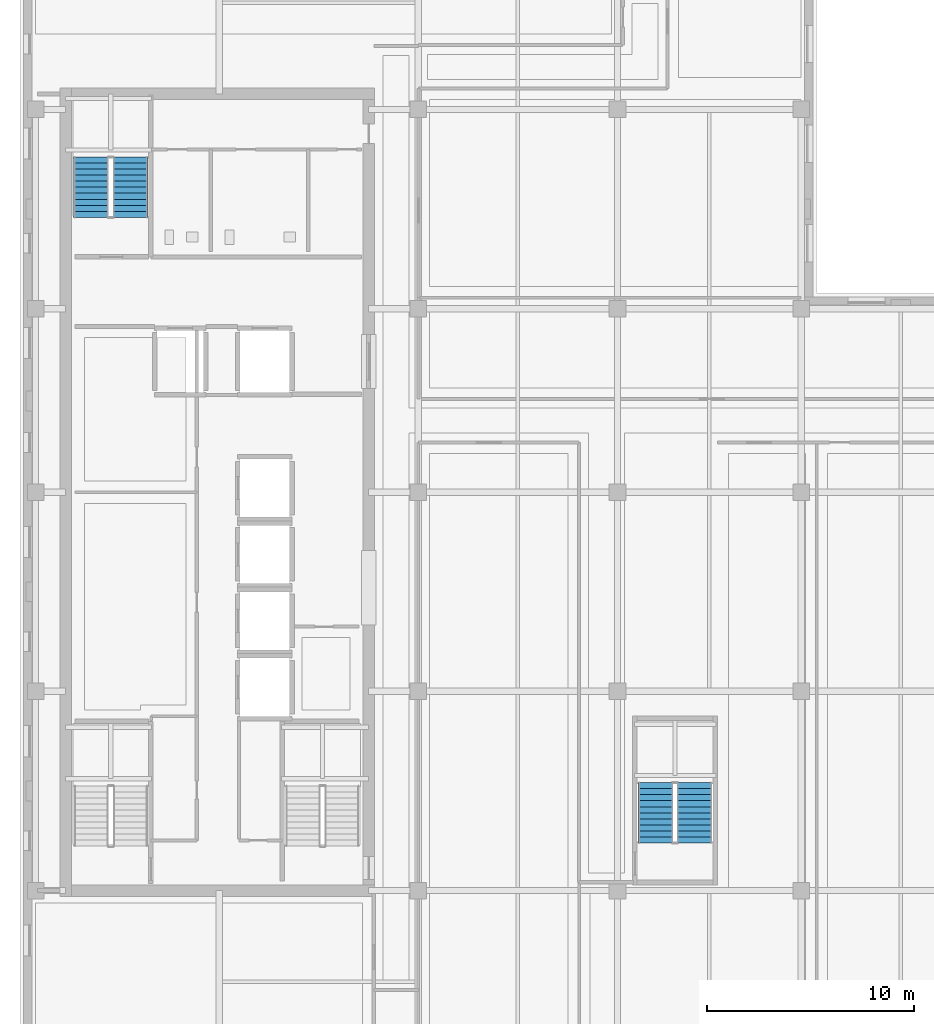
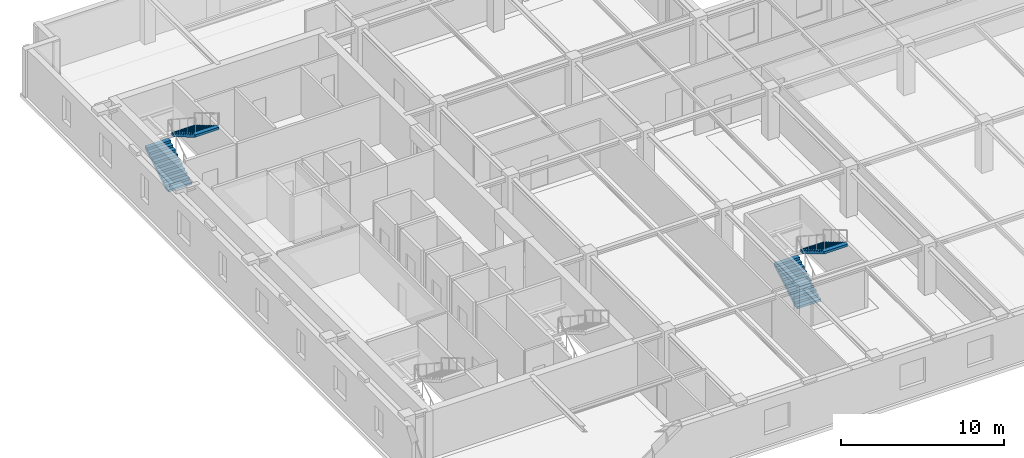
# One storey, part 7 of 12: 4 stair flights, 2 elements without a shape of their own.
"""IFC4 building model written with IfcOpenShell, lengths in metres."""

import ifcopenshell
import ifcopenshell.guid

model = None  # the IFC model being written
_history = None  # IfcOwnerHistory: only IFC2X3 demands one
_inside = {}  # id of a spatial element -> (the spatial element, [elements in it])
_under = {}  # id of a project, library or spatial element -> (it, [spatial elements below it])
_declared = {}  # id of a project -> (the project, [libraries it declares])
_typed = {}  # id of a type object -> (the type object, [elements of that type])
_made_of = {}  # id of a material, layer set ... -> (it, [elements and type objects made of it])


def new_model(schema):
    """Start an empty IFC model of exactly this schema.

    Asked for "IFC4X3", IfcOpenShell would pick the latest addendum, in which some entities
    have other attributes; the version numbers below select the first issue.
    IFC2X3 requires an IfcOwnerHistory on every rooted entity: one is made here for all.
    """
    global model, _history
    if schema == "IFC4X3":
        model = ifcopenshell.file(schema_version=(4, 3, 0, 0))
    else:
        model = ifcopenshell.file(schema=schema)
    _inside.clear()
    _under.clear()
    _declared.clear()
    _typed.clear()
    _made_of.clear()
    _history = None
    if model.schema == "IFC2X3":
        org = make("IfcOrganization", Name="unknown")
        user = make(
            "IfcPersonAndOrganization",
            ThePerson=make("IfcPerson", FamilyName="unknown"),
            TheOrganization=org,
        )
        app = make(
            "IfcApplication",
            ApplicationDeveloper=org,
            Version="unknown",
            ApplicationFullName="unknown",
            ApplicationIdentifier="unknown",
        )
        _history = make(
            "IfcOwnerHistory",
            OwningUser=user,
            OwningApplication=app,
            ChangeAction="ADDED",
            CreationDate=0,
        )
    return model


def make(cls, **values):
    """One entity of the class cls with the attributes given. An attribute that is None is left unset."""
    return model.create_entity(
        cls, **{name: value for name, value in values.items() if value is not None}
    )


def rooted(cls, **values):
    """An entity with a GlobalId (a new one), such as an element, a storey or a relation."""
    return make(cls, GlobalId=ifcopenshell.guid.new(), OwnerHistory=_history, **values)


def si_unit(unit_type, name, prefix=None):
    """IfcSIUnit, for example si_unit("LENGTHUNIT", "METRE", prefix="MILLI")."""
    return make("IfcSIUnit", UnitType=unit_type, Prefix=prefix, Name=name)


def assignment(units):
    """IfcUnitAssignment: the units of a project."""
    return None if units is None else make("IfcUnitAssignment", Units=units)


def point(xyz):
    """IfcCartesianPoint."""
    return None if xyz is None else make("IfcCartesianPoint", Coordinates=xyz)


def direction(xyz):
    """IfcDirection."""
    return None if xyz is None else make("IfcDirection", DirectionRatios=xyz)


def frame(location, z_axis=None, x_axis=None):
    """IfcAxis2Placement3D, a coordinate frame: its origin and axes. An axis left out is left unset."""
    return make(
        "IfcAxis2Placement3D",
        Location=point(location),
        Axis=direction(z_axis),
        RefDirection=direction(x_axis),
    )


def origin():
    """The frame at (0, 0, 0) with its axes left unset."""
    return frame((0.0, 0.0, 0.0))


def place(relative_to, where):
    """IfcLocalPlacement: puts the frame where relative to a parent placement (None: the world)."""
    return make(
        "IfcLocalPlacement", PlacementRelTo=relative_to, RelativePlacement=where
    )


def context(
    kind, dimensions, precision=None, world=None, true_north=None, identifier=None
):
    """IfcGeometricRepresentationContext, for example the 3D "Model" context."""
    return make(
        "IfcGeometricRepresentationContext",
        ContextIdentifier=identifier,
        ContextType=kind,
        CoordinateSpaceDimension=dimensions,
        Precision=precision,
        WorldCoordinateSystem=world,
        TrueNorth=true_north,
    )


def subcontext(parent, identifier, kind, view, scale=None):
    """IfcGeometricRepresentationSubContext, for example "Body" below "Model"."""
    return make(
        "IfcGeometricRepresentationSubContext",
        ContextIdentifier=identifier,
        ContextType=kind,
        ParentContext=parent,
        TargetScale=scale,
        TargetView=view,
    )


def project(units=None, contexts=None):
    """IfcProject with its units and contexts."""
    return rooted(
        "IfcProject",
        Name="project",
        RepresentationContexts=contexts,
        UnitsInContext=assignment(units),
    )


def spatial(cls, under=None, at=None, **own):
    """A site, building, storey or space (cls), placed at a placement, below another one or the project."""
    s = rooted(cls, ObjectPlacement=at, **own)
    if under is not None:
        _under.setdefault(under.id(), (under, []))[1].append(s)
    return s


def polyline(points):
    """IfcPolyline through the points."""
    return make("IfcPolyline", Points=[point(p) for p in points])


def outline(outer, holes=None, kind="AREA"):
    """IfcArbitraryClosedProfileDef: a profile drawn as a closed curve; with holes, ...WithVoids."""
    if holes is None:
        return make("IfcArbitraryClosedProfileDef", ProfileType=kind, OuterCurve=outer)
    return make(
        "IfcArbitraryProfileDefWithVoids",
        ProfileType=kind,
        OuterCurve=outer,
        InnerCurves=holes,
    )


def extrude(swept, where, along, depth):
    """IfcExtrudedAreaSolid: the profile swept, set in the frame where, extruded along a direction by depth."""
    return make(
        "IfcExtrudedAreaSolid",
        SweptArea=swept,
        Position=where,
        ExtrudedDirection=direction(along),
        Depth=depth,
    )


def shape(context_of_items, identifier, shape_type, items):
    """IfcShapeRepresentation: the items that make up one representation, for example the "Body"."""
    return make(
        "IfcShapeRepresentation",
        ContextOfItems=context_of_items,
        RepresentationIdentifier=identifier,
        RepresentationType=shape_type,
        Items=items,
    )


def material(Name=None, Category=None):
    """IfcMaterial."""
    return make("IfcMaterial", Name=Name, Category=Category)


def made_of(thing, what):
    """Note that an element or type object is made of a material, layer set ...; save() writes the relation."""
    if what is not None:
        _made_of.setdefault(what.id(), (what, []))[1].append(thing)
    return thing


def type_object(cls, material=None, **own):
    """A type object (cls), such as IfcWallType, which elements share."""
    return made_of(rooted(cls, **own), material)


def element(
    cls,
    number,
    at=None,
    inside=None,
    cuts=None,
    type_object=None,
    material=None,
    context=None,
    identifier="Body",
    shape_type=None,
    held_by="IfcProductDefinitionShape",
    body=None,
    shapes=None,
    **own,
):
    """One element of the class cls, such as IfcWall. Its Tag is "e" and its number.

    at: its placement. inside: the storey or other place that contains it. cuts: it is an
    opening in that element (IfcRelVoidsElement). A single representation is given by context,
    identifier, shape_type and body (its items); several are given by shapes. held_by: the class
    of the entity that holds the representations. save() writes the other relations.
    """
    e = rooted(cls, Tag="e%d" % number, ObjectPlacement=at, **own)
    if body is not None:
        shapes = [shape(context, identifier, shape_type, body)]
    if shapes is not None:
        e.Representation = make(held_by, Representations=shapes)
    if inside is not None:
        _inside.setdefault(inside.id(), (inside, []))[1].append(e)
    if cuts is not None:
        rooted(
            "IfcRelVoidsElement", RelatingBuildingElement=cuts, RelatedOpeningElement=e
        )
    if type_object is not None:
        _typed.setdefault(type_object.id(), (type_object, []))[1].append(e)
    return made_of(e, material)


def aggregate(whole, parts):
    """IfcRelAggregates: a whole, such as a stair, and the parts it consists of."""
    return rooted("IfcRelAggregates", RelatingObject=whole, RelatedObjects=parts)


def save(model, path):
    """Write the relations noted so far, then the file.

    IfcRelAggregates (storeys below a building ...), IfcRelContainedInSpatialStructure (elements
    in a storey), IfcRelDefinesByType, IfcRelAssociatesMaterial and IfcRelDeclares: one each for
    every whole, place, type object, material and project.
    """
    for whole, parts in _under.values():
        aggregate(whole, parts)
    for where, things in _inside.values():
        rooted(
            "IfcRelContainedInSpatialStructure",
            RelatedElements=things,
            RelatingStructure=where,
        )
    for kind, things in _typed.values():
        rooted("IfcRelDefinesByType", RelatedObjects=things, RelatingType=kind)
    for what, things in _made_of.values():
        rooted("IfcRelAssociatesMaterial", RelatedObjects=things, RelatingMaterial=what)
    for by, libraries in _declared.values():
        rooted("IfcRelDeclares", RelatingContext=by, RelatedDefinitions=libraries)
    model.write(path)


model = new_model("IFC4")

# Units and contexts
model_context = context("Model", 3, precision=1e-05, world=origin(), true_north=direction((0.0, 1.0)))
body_context = subcontext(model_context, "Body", "Model", "MODEL_VIEW")
ifc_project = project(units=[si_unit("LENGTHUNIT", "METRE"), si_unit("AREAUNIT", "SQUARE_METRE"), si_unit("VOLUMEUNIT", "CUBIC_METRE"), si_unit("PLANEANGLEUNIT", "RADIAN"), si_unit("MASSUNIT", "GRAM", prefix="KILO")], contexts=[model_context])

# Site, building, storey
site_placement = place(None, origin())
site = spatial("IfcSite", under=ifc_project, at=site_placement, CompositionType="ELEMENT")
building_placement = place(site_placement, origin())
building = spatial("IfcBuilding", under=site, at=building_placement, Name="Norrvale University Quadrangle", CompositionType="ELEMENT")
storey_placement = place(building_placement, frame((0.0, 0.0, 237.0)))
storey = spatial("IfcBuildingStorey", under=building, at=storey_placement, Name="L60", CompositionType="ELEMENT", Elevation=237.0)

# Stair, stair flights
ifc_material = material(Name="Concrete C40/50", Category="concrete")
stair_type = type_object("IfcStairType", Name="Stair Tower Typ 3800", PredefinedType="TWO_STRAIGHT_RUN_STAIR", material=ifc_material)
stair_1_placement = place(storey_placement, origin())
stair_1 = element("IfcStair", 1, at=stair_1_placement, inside=storey, type_object=stair_type, Name="Exit Stair ST-02 L60", PredefinedType="TWO_STRAIGHT_RUN_STAIR")
stair_flight_type = type_object("IfcStairFlightType", Name="Flight Typ 1500", PredefinedType="STRAIGHT", material=ifc_material)
stair_flight_1_placement = place(storey_placement, frame((3.429931640625, 42.050048828125, 0.0), z_axis=(0.0, 0.0, 1.0), x_axis=(0.0, 1.0, 0.0)))
stair_flight_1 = element("IfcStairFlight", 2, at=stair_flight_1_placement, type_object=stair_flight_type, Name="Exit Stair ST-02 L60 Lower Flight", NumberOfRisers=11, NumberOfTreads=10, PredefinedType="STRAIGHT", RiserHeight=0.172727, TreadLength=0.29, context=body_context, shape_type="SweptSolid", body=[
    extrude(outline(polyline([(0.0, 0.0), (0.0, 0.172607421875), (0.2900390625, 0.172607421875), (0.2900390625, 0.345458984375), (0.580078125, 0.345458984375), (0.580078125, 0.51806640625), (0.8701171875, 0.51806640625), (0.8701171875, 0.69091796875), (1.159912109375, 0.69091796875), (1.159912109375, 0.863525390625), (1.449951171875, 0.863525390625), (1.449951171875, 1.036376953125), (1.739990234375, 1.036376953125), (1.739990234375, 1.208984375), (2.030029296875, 1.208984375), (2.030029296875, 1.3818359375), (2.320068359375, 1.3818359375), (2.320068359375, 1.554443359375), (2.610107421875, 1.554443359375), (2.610107421875, 1.727294921875), (2.89990234375, 1.727294921875), (2.89990234375, 1.89990234375), (2.89990234375, 1.552734375), (0.29296875, 0.0), (0.0, 0.0)])), frame((0.0, 0.83984375, 0.0), z_axis=(0.0, -1.0, 0.0), x_axis=(1.0, 0.0, 0.0)), (0.0, 0.0, 1.0), 1.679931640625),
])
stair_flight_2_placement = place(storey_placement, frame((5.320068359375, 44.949951171875, 1.89990234375), z_axis=(0.0, 0.0, 1.0), x_axis=(0.0, -1.0, 0.0)))
stair_flight_2 = element("IfcStairFlight", 3, at=stair_flight_2_placement, type_object=stair_flight_type, Name="Exit Stair ST-02 L60 Upper Flight", NumberOfRisers=11, NumberOfTreads=10, PredefinedType="STRAIGHT", RiserHeight=0.172727, TreadLength=0.29, context=body_context, shape_type="SweptSolid", body=[
    extrude(outline(polyline([(0.0, 0.0), (0.0, 0.172607421875), (0.2900390625, 0.172607421875), (0.2900390625, 0.345458984375), (0.580078125, 0.345458984375), (0.580078125, 0.51806640625), (0.8701171875, 0.51806640625), (0.8701171875, 0.69091796875), (1.159912109375, 0.69091796875), (1.159912109375, 0.863525390625), (1.449951171875, 0.863525390625), (1.449951171875, 1.036376953125), (1.739990234375, 1.036376953125), (1.739990234375, 1.208984375), (2.030029296875, 1.208984375), (2.030029296875, 1.3818359375), (2.320068359375, 1.3818359375), (2.320068359375, 1.554443359375), (2.610107421875, 1.554443359375), (2.610107421875, 1.727294921875), (2.89990234375, 1.727294921875), (2.89990234375, 1.89990234375), (2.89990234375, 1.552734375), (0.29296875, 0.0), (0.0, 0.0)])), frame((0.0, 0.83984375, 0.0), z_axis=(0.0, -1.0, 0.0), x_axis=(1.0, 0.0, 0.0)), (0.0, 0.0, 1.0), 1.679931640625),
])
aggregate(stair_1, [stair_flight_1, stair_flight_2])

stair_2_placement = place(storey_placement, origin())
stair_2 = element("IfcStair", 4, at=stair_2_placement, inside=storey, type_object=stair_type, Name="Exit Stair ST-04 L60", PredefinedType="TWO_STRAIGHT_RUN_STAIR")
stair_flight_3_placement = place(storey_placement, frame((30.6298828125, 11.89990234375, 0.0), z_axis=(0.0, 0.0, 1.0), x_axis=(0.0, 1.0, 0.0)))
stair_flight_3 = element("IfcStairFlight", 5, at=stair_flight_3_placement, type_object=stair_flight_type, Name="Exit Stair ST-04 L60 Lower Flight", NumberOfRisers=11, NumberOfTreads=10, PredefinedType="STRAIGHT", RiserHeight=0.172727, TreadLength=0.29, context=body_context, shape_type="SweptSolid", body=[
    extrude(outline(polyline([(0.0, 0.0), (0.0, 0.172607421875), (0.2900390625, 0.172607421875), (0.2900390625, 0.345458984375), (0.580078125, 0.345458984375), (0.580078125, 0.51806640625), (0.8701171875, 0.51806640625), (0.8701171875, 0.69091796875), (1.159912109375, 0.69091796875), (1.159912109375, 0.863525390625), (1.449951171875, 0.863525390625), (1.449951171875, 1.036376953125), (1.739990234375, 1.036376953125), (1.739990234375, 1.208984375), (2.030029296875, 1.208984375), (2.030029296875, 1.3818359375), (2.320068359375, 1.3818359375), (2.320068359375, 1.554443359375), (2.610107421875, 1.554443359375), (2.610107421875, 1.727294921875), (2.89990234375, 1.727294921875), (2.89990234375, 1.89990234375), (2.89990234375, 1.552734375), (0.29296875, 0.0), (0.0, 0.0)])), frame((0.0, 0.83984375, 0.0), z_axis=(0.0, -1.0, 0.0), x_axis=(1.0, 0.0, 0.0)), (0.0, 0.0, 1.0), 1.679931640625),
])
stair_flight_4_placement = place(storey_placement, frame((32.52001953125, 14.800048828125, 1.89990234375), z_axis=(0.0, 0.0, 1.0), x_axis=(0.0, -1.0, 0.0)))
stair_flight_4 = element("IfcStairFlight", 6, at=stair_flight_4_placement, type_object=stair_flight_type, Name="Exit Stair ST-04 L60 Upper Flight", NumberOfRisers=11, NumberOfTreads=10, PredefinedType="STRAIGHT", RiserHeight=0.172727, TreadLength=0.29, context=body_context, shape_type="SweptSolid", body=[
    extrude(outline(polyline([(0.0, 0.0), (0.0, 0.172607421875), (0.2900390625, 0.172607421875), (0.2900390625, 0.345458984375), (0.580078125, 0.345458984375), (0.580078125, 0.51806640625), (0.8701171875, 0.51806640625), (0.8701171875, 0.69091796875), (1.159912109375, 0.69091796875), (1.159912109375, 0.863525390625), (1.449951171875, 0.863525390625), (1.449951171875, 1.036376953125), (1.739990234375, 1.036376953125), (1.739990234375, 1.208984375), (2.030029296875, 1.208984375), (2.030029296875, 1.3818359375), (2.320068359375, 1.3818359375), (2.320068359375, 1.554443359375), (2.610107421875, 1.554443359375), (2.610107421875, 1.727294921875), (2.89990234375, 1.727294921875), (2.89990234375, 1.89990234375), (2.89990234375, 1.552734375), (0.29296875, 0.0), (0.0, 0.0)])), frame((0.0, 0.83984375, 0.0), z_axis=(0.0, -1.0, 0.0), x_axis=(1.0, 0.0, 0.0)), (0.0, 0.0, 1.0), 1.679931640625),
])
aggregate(stair_2, [stair_flight_3, stair_flight_4])

save(model, "model.ifc")
